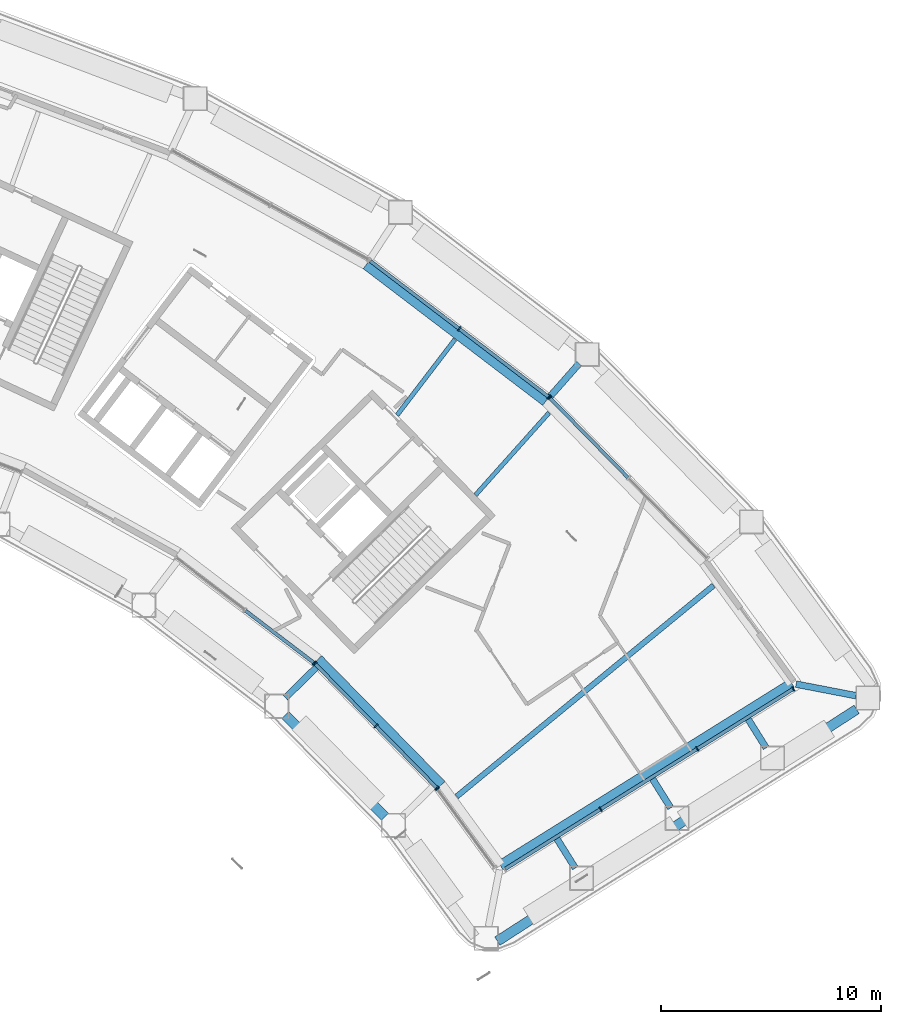
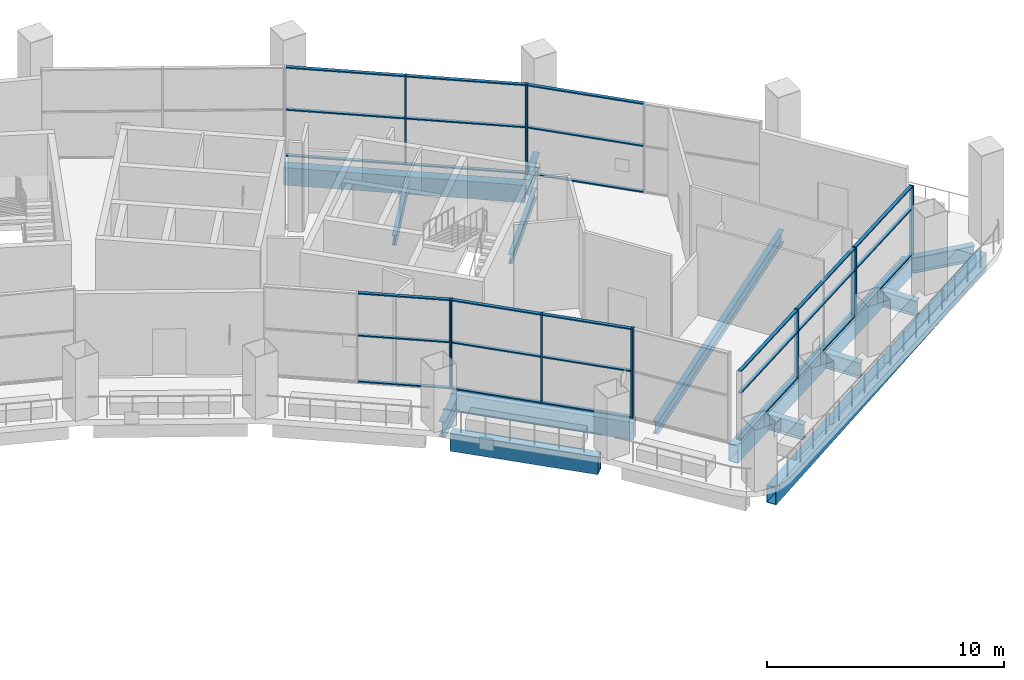
# One storey, part 9 of 28: 38 members, 14 beams, 6 elements without a shape of their own.
"""IFC4 building model written with IfcOpenShell, lengths in metres."""

from ifc_helpers import new_model, si_unit, direction, frame, origin, origin_2d, place, context, subcontext, project, spatial, rectangle, hollow_rectangle, i_section, extrude, material, layer, layer_set, material_profile, profile_set, type_object, element, aggregate, save


model = new_model("IFC4")

# Units and contexts
model_context = context("Model", 3, precision=1e-05, world=origin(), true_north=direction((0.0, 1.0)))
body_context = subcontext(model_context, "Body", "Model", "MODEL_VIEW")
ifc_project = project(units=[si_unit("LENGTHUNIT", "METRE"), si_unit("AREAUNIT", "SQUARE_METRE"), si_unit("VOLUMEUNIT", "CUBIC_METRE"), si_unit("PLANEANGLEUNIT", "RADIAN"), si_unit("MASSUNIT", "GRAM", prefix="KILO")], contexts=[model_context])

# Site, building, storey
site_placement = place(None, origin())
site = spatial("IfcSite", under=ifc_project, at=site_placement, CompositionType="ELEMENT")
building_placement = place(site_placement, origin())
building = spatial("IfcBuilding", under=site, at=building_placement, Name="Tuul Gate Civic Tower", CompositionType="ELEMENT")
storey_placement = place(building_placement, frame((0.0, 0.0, 128.699951171875)))
storey = spatial("IfcBuildingStorey", under=building, at=storey_placement, Name="Sky garden level 1", CompositionType="ELEMENT", Elevation=128.699951171875)

# Curtain wall, member
ifc_material_1 = material(Name="Aluminium", Category="aluminium")
ifc_layer_1 = layer(ifc_material_1, 0.199951171875)
ifc_layer_set_1 = layer_set([ifc_layer_1], Name="Aluminium")
curtain_wall_type_1 = type_object("IfcCurtainWallType", Name="Curtain wall CW3", PredefinedType="NOTDEFINED", material=ifc_layer_set_1)
curtain_wall_1_placement = place(storey_placement, origin())
curtain_wall_1 = element("IfcCurtainWall", 1, at=curtain_wall_1_placement, inside=storey, type_object=curtain_wall_type_1, Name="Curtain wall CW3", PredefinedType="NOTDEFINED")
ifc_material_2 = material(Name="Aluminium", Category="aluminium")
ifc_material_profile_1 = material_profile(ifc_material_2, rectangle(XDim=0.219970703125, YDim=0.06005859375, at=origin_2d()), Name="CW3 mullion")
ifc_profile_set_1 = profile_set([ifc_material_profile_1], Name="Aluminium")
member_type_1 = type_object("IfcMemberType", Name="CW3 mullion", PredefinedType="MULLION", material=ifc_profile_set_1)
member_1_placement = place(storey_placement, frame((57.02197265625, -6.780517578125, 0.0), z_axis=(0.0, 0.0, 1.0), x_axis=(-0.714109949145, -0.700033556719, 0.0)))
member_1 = element("IfcMember", 2, at=member_1_placement, type_object=member_type_1, Name="Mullion", PredefinedType="MULLION", context=body_context, shape_type="SweptSolid", body=[
    extrude(rectangle(XDim=0.219970703125, YDim=0.06005859375, at=origin_2d()), origin(), (0.0, 0.0, 1.0), 4.60009765625),
])

# Curtain wall, members
curtain_wall_2_placement = place(storey_placement, origin())
curtain_wall_2 = element("IfcCurtainWall", 3, at=curtain_wall_2_placement, inside=storey, type_object=curtain_wall_type_1, Name="Curtain wall CW3", PredefinedType="NOTDEFINED")
member_2_placement = place(storey_placement, frame((56.97705078125, -6.74072265625, 0.0), z_axis=(0.0, 0.0, 1.0), x_axis=(-0.605809182627, -0.79560997621, 0.0)))
member_2 = element("IfcMember", 4, at=member_2_placement, type_object=member_type_1, Name="Mullion", PredefinedType="MULLION", context=body_context, shape_type="SweptSolid", body=[
    extrude(rectangle(XDim=0.219970703125, YDim=0.06005859375, at=origin_2d()), origin(), (0.0, 0.0, 1.0), 4.60009765625),
])
member_3_placement = place(storey_placement, frame((52.903564453125, -3.638916015625, 0.0), z_axis=(0.0, 0.0, 1.0), x_axis=(-0.605809182627, -0.79560997621, 0.0)))
member_3 = element("IfcMember", 5, at=member_3_placement, type_object=member_type_1, Name="Mullion", PredefinedType="MULLION", context=body_context, shape_type="SweptSolid", body=[
    extrude(rectangle(XDim=0.219970703125, YDim=0.06005859375, at=origin_2d()), origin(), (0.0, 0.0, 1.0), 4.60009765625),
])

# Curtain wall, member
curtain_wall_3_placement = place(storey_placement, origin())
curtain_wall_3 = element("IfcCurtainWall", 6, at=curtain_wall_3_placement, inside=storey, type_object=curtain_wall_type_1, Name="Curtain wall CW3", PredefinedType="NOTDEFINED")
member_4_placement = place(storey_placement, frame((46.296142578125, -18.84375, 0.0), z_axis=(0.0, 0.0, 1.0), x_axis=(0.605827650389, 0.79559591378, 0.0)))
member_4 = element("IfcMember", 7, at=member_4_placement, type_object=member_type_1, Name="Mullion", PredefinedType="MULLION", context=body_context, shape_type="SweptSolid", body=[
    extrude(rectangle(XDim=0.219970703125, YDim=0.06005859375, at=origin_2d()), origin(), (0.0, 0.0, 1.0), 4.60009765625),
])

# Curtain wall, members
curtain_wall_4_placement = place(storey_placement, origin())
curtain_wall_4 = element("IfcCurtainWall", 8, at=curtain_wall_4_placement, inside=storey, type_object=curtain_wall_type_1, Name="Curtain wall CW3", PredefinedType="NOTDEFINED")
member_5_placement = place(storey_placement, frame((46.341064453125, -18.883544921875, 0.0), z_axis=(0.0, 0.0, 1.0), x_axis=(0.714099902117, 0.700043805627, 0.0)))
member_5 = element("IfcMember", 9, at=member_5_placement, type_object=member_type_1, Name="Mullion", PredefinedType="MULLION", context=body_context, shape_type="SweptSolid", body=[
    extrude(rectangle(XDim=0.219970703125, YDim=0.06005859375, at=origin_2d()), origin(), (0.0, 0.0, 1.0), 4.60009765625),
])
member_6_placement = place(storey_placement, frame((49.10888671875, -21.70703125, 0.0), z_axis=(0.0, 0.0, 1.0), x_axis=(0.714099902117, 0.700043805627, 0.0)))
member_6 = element("IfcMember", 10, at=member_6_placement, type_object=member_type_1, Name="Mullion", PredefinedType="MULLION", context=body_context, shape_type="SweptSolid", body=[
    extrude(rectangle(XDim=0.219970703125, YDim=0.06005859375, at=origin_2d()), origin(), (0.0, 0.0, 1.0), 4.60009765625),
])
member_7_placement = place(storey_placement, frame((51.876953125, -24.530517578125, 0.0), z_axis=(0.0, 0.0, 1.0), x_axis=(0.714099902117, 0.700043805627, 0.0)))
member_7 = element("IfcMember", 11, at=member_7_placement, type_object=member_type_1, Name="Mullion", PredefinedType="MULLION", context=body_context, shape_type="SweptSolid", body=[
    extrude(rectangle(XDim=0.219970703125, YDim=0.06005859375, at=origin_2d()), origin(), (0.0, 0.0, 1.0), 4.60009765625),
])

# Curtain wall, member
curtain_wall_5_placement = place(storey_placement, origin())
curtain_wall_5 = element("IfcCurtainWall", 12, at=curtain_wall_5_placement, inside=storey, type_object=curtain_wall_type_1, Name="Curtain wall CW3", PredefinedType="NOTDEFINED")
member_8_placement = place(storey_placement, frame((51.915771484375, -24.576171875, 0.0), z_axis=(0.0, 0.0, 1.0), x_axis=(0.807566892229, 0.589775986774, 0.0)))
member_8 = element("IfcMember", 13, at=member_8_placement, type_object=member_type_1, Name="Mullion", PredefinedType="MULLION", context=body_context, shape_type="SweptSolid", body=[
    extrude(rectangle(XDim=0.219970703125, YDim=0.06005859375, at=origin_2d()), origin(), (0.0, 0.0, 1.0), 4.60009765625),
])
aggregate(curtain_wall_5, [member_8])

# Member
ifc_material_3 = material(Name="Aluminium", Category="aluminium")
ifc_material_profile_2 = material_profile(ifc_material_3, rectangle(XDim=0.159912109375, YDim=0.06005859375, at=origin_2d()), Name="CW3 transom")
ifc_profile_set_2 = profile_set([ifc_material_profile_2], Name="Aluminium")
member_type_2 = type_object("IfcMemberType", Name="CW3 transom", PredefinedType="USERDEFINED", material=ifc_profile_set_2)
member_9_placement = place(storey_placement, frame((60.58544921875, -10.41552734375, 0.030029296875), z_axis=(-0.700027998076, 0.714115398175, 0.0), x_axis=(-0.714115398175, -0.700027998076, 0.0)))
member_9 = element("IfcMember", 14, at=member_9_placement, type_object=member_type_2, Name="Transom", ObjectType="TRANSOM", PredefinedType="USERDEFINED", context=body_context, shape_type="SweptSolid", body=[
    extrude(rectangle(XDim=0.159912109375, YDim=0.06005859375, at=origin_2d()), origin(), (0.0, 0.0, 1.0), 5.060546875),
])

member_10_placement = place(storey_placement, frame((60.58544921875, -10.41552734375, 2.400146484375), z_axis=(-0.700027998076, 0.714115398175, 0.0), x_axis=(-0.714115398175, -0.700027998076, 0.0)))
member_10 = element("IfcMember", 15, at=member_10_placement, type_object=member_type_2, Name="Transom", ObjectType="TRANSOM", PredefinedType="USERDEFINED", context=body_context, shape_type="SweptSolid", body=[
    extrude(rectangle(XDim=0.159912109375, YDim=0.06005859375, at=origin_2d()), origin(), (0.0, 0.0, 1.0), 5.060546875),
])

member_11_placement = place(storey_placement, frame((60.58544921875, -10.41552734375, 4.570068359375), z_axis=(-0.700027998076, 0.714115398175, 0.0), x_axis=(-0.714115398175, -0.700027998076, 0.0)))
member_11 = element("IfcMember", 16, at=member_11_placement, type_object=member_type_2, Name="Transom", ObjectType="TRANSOM", PredefinedType="USERDEFINED", context=body_context, shape_type="SweptSolid", body=[
    extrude(rectangle(XDim=0.159912109375, YDim=0.06005859375, at=origin_2d()), origin(), (0.0, 0.0, 1.0), 5.060546875),
])

aggregate(curtain_wall_1, [member_1, member_9, member_10, member_11])

member_12_placement = place(storey_placement, frame((56.953369140625, -6.72265625, 0.030029296875), z_axis=(-0.795613324704, 0.60580478502, 0.0), x_axis=(-0.60580478502, -0.795613324704, 0.0)))
member_12 = element("IfcMember", 17, at=member_12_placement, type_object=member_type_2, Name="Transom", ObjectType="TRANSOM", PredefinedType="USERDEFINED", context=body_context, shape_type="SweptSolid", body=[
    extrude(rectangle(XDim=0.159912109375, YDim=0.06005859375, at=origin_2d()), origin(), (0.0, 0.0, 1.0), 5.06005859375),
])

member_13_placement = place(storey_placement, frame((56.953369140625, -6.72265625, 2.400146484375), z_axis=(-0.795613324704, 0.60580478502, 0.0), x_axis=(-0.60580478502, -0.795613324704, 0.0)))
member_13 = element("IfcMember", 18, at=member_13_placement, type_object=member_type_2, Name="Transom", ObjectType="TRANSOM", PredefinedType="USERDEFINED", context=body_context, shape_type="SweptSolid", body=[
    extrude(rectangle(XDim=0.159912109375, YDim=0.06005859375, at=origin_2d()), origin(), (0.0, 0.0, 1.0), 5.06005859375),
])

member_14_placement = place(storey_placement, frame((56.953369140625, -6.72265625, 4.570068359375), z_axis=(-0.795613324704, 0.60580478502, 0.0), x_axis=(-0.60580478502, -0.795613324704, 0.0)))
member_14 = element("IfcMember", 19, at=member_14_placement, type_object=member_type_2, Name="Transom", ObjectType="TRANSOM", PredefinedType="USERDEFINED", context=body_context, shape_type="SweptSolid", body=[
    extrude(rectangle(XDim=0.159912109375, YDim=0.06005859375, at=origin_2d()), origin(), (0.0, 0.0, 1.0), 5.06005859375),
])

member_15_placement = place(storey_placement, frame((52.879638671875, -3.620849609375, 0.030029296875), z_axis=(-0.795613324704, 0.60580478502, 0.0), x_axis=(-0.60580478502, -0.795613324704, 0.0)))
member_15 = element("IfcMember", 20, at=member_15_placement, type_object=member_type_2, Name="Transom", ObjectType="TRANSOM", PredefinedType="USERDEFINED", context=body_context, shape_type="SweptSolid", body=[
    extrude(rectangle(XDim=0.159912109375, YDim=0.06005859375, at=origin_2d()), origin(), (0.0, 0.0, 1.0), 5.06005859375),
])

member_16_placement = place(storey_placement, frame((52.879638671875, -3.620849609375, 2.400146484375), z_axis=(-0.795613324704, 0.60580478502, 0.0), x_axis=(-0.60580478502, -0.795613324704, 0.0)))
member_16 = element("IfcMember", 21, at=member_16_placement, type_object=member_type_2, Name="Transom", ObjectType="TRANSOM", PredefinedType="USERDEFINED", context=body_context, shape_type="SweptSolid", body=[
    extrude(rectangle(XDim=0.159912109375, YDim=0.06005859375, at=origin_2d()), origin(), (0.0, 0.0, 1.0), 5.06005859375),
])

member_17_placement = place(storey_placement, frame((52.879638671875, -3.620849609375, 4.570068359375), z_axis=(-0.795613324704, 0.60580478502, 0.0), x_axis=(-0.60580478502, -0.795613324704, 0.0)))
member_17 = element("IfcMember", 22, at=member_17_placement, type_object=member_type_2, Name="Transom", ObjectType="TRANSOM", PredefinedType="USERDEFINED", context=body_context, shape_type="SweptSolid", body=[
    extrude(rectangle(XDim=0.159912109375, YDim=0.06005859375, at=origin_2d()), origin(), (0.0, 0.0, 1.0), 5.06005859375),
])

aggregate(curtain_wall_2, [member_2, member_3, member_12, member_13, member_14, member_15, member_16, member_17])

member_18_placement = place(storey_placement, frame((43.17431640625, -16.466796875, 0.030029296875), z_axis=(0.795607284168, -0.605812718073, 0.0), x_axis=(0.605812718073, 0.795607284168, 0.0)))
member_18 = element("IfcMember", 23, at=member_18_placement, type_object=member_type_2, Name="Transom", ObjectType="TRANSOM", PredefinedType="USERDEFINED", context=body_context, shape_type="SweptSolid", body=[
    extrude(rectangle(XDim=0.159912109375, YDim=0.06005859375, at=origin_2d()), origin(), (0.0, 0.0, 1.0), 3.893798828125),
])

member_19_placement = place(storey_placement, frame((43.17431640625, -16.466796875, 2.400146484375), z_axis=(0.795607284168, -0.605812718073, 0.0), x_axis=(0.605812718073, 0.795607284168, 0.0)))
member_19 = element("IfcMember", 24, at=member_19_placement, type_object=member_type_2, Name="Transom", ObjectType="TRANSOM", PredefinedType="USERDEFINED", context=body_context, shape_type="SweptSolid", body=[
    extrude(rectangle(XDim=0.159912109375, YDim=0.06005859375, at=origin_2d()), origin(), (0.0, 0.0, 1.0), 3.893798828125),
])

member_20_placement = place(storey_placement, frame((43.17431640625, -16.466796875, 4.570068359375), z_axis=(0.795607284168, -0.605812718073, 0.0), x_axis=(0.605812718073, 0.795607284168, 0.0)))
member_20 = element("IfcMember", 25, at=member_20_placement, type_object=member_type_2, Name="Transom", ObjectType="TRANSOM", PredefinedType="USERDEFINED", context=body_context, shape_type="SweptSolid", body=[
    extrude(rectangle(XDim=0.159912109375, YDim=0.06005859375, at=origin_2d()), origin(), (0.0, 0.0, 1.0), 3.893798828125),
])

aggregate(curtain_wall_3, [member_4, member_18, member_19, member_20])

member_21_placement = place(storey_placement, frame((46.362060546875, -18.90478515625, 0.030029296875), z_axis=(0.700018126509, -0.714125074871, 0.0), x_axis=(0.714125074871, 0.700018126509, 0.0)))
member_21 = element("IfcMember", 26, at=member_21_placement, type_object=member_type_2, Name="Transom", ObjectType="TRANSOM", PredefinedType="USERDEFINED", context=body_context, shape_type="SweptSolid", body=[
    extrude(rectangle(XDim=0.159912109375, YDim=0.06005859375, at=origin_2d()), origin(), (0.0, 0.0, 1.0), 3.89404296875),
])

member_22_placement = place(storey_placement, frame((46.362060546875, -18.90478515625, 2.400146484375), z_axis=(0.700018126509, -0.714125074871, 0.0), x_axis=(0.714125074871, 0.700018126509, 0.0)))
member_22 = element("IfcMember", 27, at=member_22_placement, type_object=member_type_2, Name="Transom", ObjectType="TRANSOM", PredefinedType="USERDEFINED", context=body_context, shape_type="SweptSolid", body=[
    extrude(rectangle(XDim=0.159912109375, YDim=0.06005859375, at=origin_2d()), origin(), (0.0, 0.0, 1.0), 3.89404296875),
])

member_23_placement = place(storey_placement, frame((46.362060546875, -18.90478515625, 4.570068359375), z_axis=(0.700018126509, -0.714125074871, 0.0), x_axis=(0.714125074871, 0.700018126509, 0.0)))
member_23 = element("IfcMember", 28, at=member_23_placement, type_object=member_type_2, Name="Transom", ObjectType="TRANSOM", PredefinedType="USERDEFINED", context=body_context, shape_type="SweptSolid", body=[
    extrude(rectangle(XDim=0.159912109375, YDim=0.06005859375, at=origin_2d()), origin(), (0.0, 0.0, 1.0), 3.89404296875),
])

member_24_placement = place(storey_placement, frame((49.1298828125, -21.728515625, 0.030029296875), z_axis=(0.700081440507, -0.714063006084, 0.0), x_axis=(0.714063006084, 0.700081440507, 0.0)))
member_24 = element("IfcMember", 29, at=member_24_placement, type_object=member_type_2, Name="Transom", ObjectType="TRANSOM", PredefinedType="USERDEFINED", context=body_context, shape_type="SweptSolid", body=[
    extrude(rectangle(XDim=0.159912109375, YDim=0.06005859375, at=origin_2d()), origin(), (0.0, 0.0, 1.0), 3.89404296875),
])

member_25_placement = place(storey_placement, frame((49.1298828125, -21.728515625, 2.400146484375), z_axis=(0.700081440507, -0.714063006084, 0.0), x_axis=(0.714063006084, 0.700081440507, 0.0)))
member_25 = element("IfcMember", 30, at=member_25_placement, type_object=member_type_2, Name="Transom", ObjectType="TRANSOM", PredefinedType="USERDEFINED", context=body_context, shape_type="SweptSolid", body=[
    extrude(rectangle(XDim=0.159912109375, YDim=0.06005859375, at=origin_2d()), origin(), (0.0, 0.0, 1.0), 3.89404296875),
])

member_26_placement = place(storey_placement, frame((49.1298828125, -21.728515625, 4.570068359375), z_axis=(0.700081440507, -0.714063006084, 0.0), x_axis=(0.714063006084, 0.700081440507, 0.0)))
member_26 = element("IfcMember", 31, at=member_26_placement, type_object=member_type_2, Name="Transom", ObjectType="TRANSOM", PredefinedType="USERDEFINED", context=body_context, shape_type="SweptSolid", body=[
    extrude(rectangle(XDim=0.159912109375, YDim=0.06005859375, at=origin_2d()), origin(), (0.0, 0.0, 1.0), 3.89404296875),
])

aggregate(curtain_wall_4, [member_5, member_6, member_7, member_21, member_22, member_23, member_24, member_25, member_26])

# Curtain wall, members
ifc_material_4 = material(Name="Aluminium", Category="aluminium")
ifc_layer_2 = layer(ifc_material_4, 0.199951171875)
ifc_layer_set_2 = layer_set([ifc_layer_2], Name="Aluminium")
curtain_wall_type_2 = type_object("IfcCurtainWallType", Name="Curtain wall CW3A", PredefinedType="NOTDEFINED", material=ifc_layer_set_2)
curtain_wall_6_placement = place(storey_placement, origin())
curtain_wall_6 = element("IfcCurtainWall", 32, at=curtain_wall_6_placement, inside=storey, type_object=curtain_wall_type_2, Name="Curtain wall CW3A", PredefinedType="NOTDEFINED")
ifc_material_5 = material(Name="Aluminium", Category="aluminium")
ifc_material_profile_3 = material_profile(ifc_material_5, rectangle(XDim=0.219970703125, YDim=0.06005859375, at=origin_2d()), Name="CW3A mullion")
ifc_profile_set_3 = profile_set([ifc_material_profile_3], Name="Aluminium")
member_type_3 = type_object("IfcMemberType", Name="CW3A mullion", PredefinedType="MULLION", material=ifc_profile_set_3)
member_27_placement = place(storey_placement, frame((59.3359375, -25.503662109375, 0.0), z_axis=(0.0, 0.0, 1.0), x_axis=(-0.52995845166, 0.848023607876, 0.0)))
member_27 = element("IfcMember", 33, at=member_27_placement, type_object=member_type_3, Name="Mullion", PredefinedType="MULLION", context=body_context, shape_type="SweptSolid", body=[
    extrude(rectangle(XDim=0.219970703125, YDim=0.06005859375, at=origin_2d()), origin(), (0.0, 0.0, 1.0), 3.545166015625),
])
member_28_placement = place(storey_placement, frame((63.72900390625, -22.75830078125, 0.0), z_axis=(0.0, 0.0, 1.0), x_axis=(-0.52995845166, 0.848023607876, 0.0)))
member_28 = element("IfcMember", 34, at=member_28_placement, type_object=member_type_3, Name="Mullion", PredefinedType="MULLION", context=body_context, shape_type="SweptSolid", body=[
    extrude(rectangle(XDim=0.219970703125, YDim=0.06005859375, at=origin_2d()), origin(), (0.0, 0.0, 1.0), 3.545166015625),
])
member_29_placement = place(storey_placement, frame((68.0966796875, -20.02880859375, 0.0), z_axis=(0.0, 0.0, 1.0), x_axis=(-0.52995845166, 0.848023607876, 0.0)))
member_29 = element("IfcMember", 35, at=member_29_placement, type_object=member_type_3, Name="Mullion", PredefinedType="MULLION", context=body_context, shape_type="SweptSolid", body=[
    extrude(rectangle(XDim=0.219970703125, YDim=0.06005859375, at=origin_2d()), origin(), (0.0, 0.0, 1.0), 3.545166015625),
])
ifc_material_6 = material(Name="Aluminium", Category="aluminium")
ifc_material_profile_4 = material_profile(ifc_material_6, rectangle(XDim=0.159912109375, YDim=0.06005859375, at=origin_2d()), Name="CW3A transom")
ifc_profile_set_4 = profile_set([ifc_material_profile_4], Name="Aluminium")
member_type_4 = type_object("IfcMemberType", Name="CW3A transom", PredefinedType="USERDEFINED", material=ifc_profile_set_4)
member_30_placement = place(storey_placement, frame((54.993896484375, -28.21728515625, 0.030029296875), z_axis=(0.848011776134, 0.529977383987, 0.0), x_axis=(-0.529977383987, 0.848011776134, 0.0)))
member_30 = element("IfcMember", 36, at=member_30_placement, type_object=member_type_4, Name="Transom", ObjectType="TRANSOM", PredefinedType="USERDEFINED", context=body_context, shape_type="SweptSolid", body=[
    extrude(rectangle(XDim=0.159912109375, YDim=0.06005859375, at=origin_2d()), origin(), (0.0, 0.0, 1.0), 5.09033203125),
])
member_31_placement = place(storey_placement, frame((54.993896484375, -28.21728515625, 2.400146484375), z_axis=(0.848011776134, 0.529977383987, 0.0), x_axis=(-0.529977383987, 0.848011776134, 0.0)))
member_31 = element("IfcMember", 37, at=member_31_placement, type_object=member_type_4, Name="Transom", ObjectType="TRANSOM", PredefinedType="USERDEFINED", context=body_context, shape_type="SweptSolid", body=[
    extrude(rectangle(XDim=0.159912109375, YDim=0.06005859375, at=origin_2d()), origin(), (0.0, 0.0, 1.0), 5.09033203125),
])
member_32_placement = place(storey_placement, frame((54.993896484375, -28.21728515625, 3.51513671875), z_axis=(0.848011776134, 0.529977383987, 0.0), x_axis=(-0.529977383987, 0.848011776134, 0.0)))
member_32 = element("IfcMember", 38, at=member_32_placement, type_object=member_type_4, Name="Transom", ObjectType="TRANSOM", PredefinedType="USERDEFINED", context=body_context, shape_type="SweptSolid", body=[
    extrude(rectangle(XDim=0.159912109375, YDim=0.06005859375, at=origin_2d()), origin(), (0.0, 0.0, 1.0), 5.09033203125),
])
member_33_placement = place(storey_placement, frame((59.361328125, -25.48779296875, 0.030029296875), z_axis=(0.848025089079, 0.529956081475, 0.0), x_axis=(-0.529956081475, 0.848025089079, 0.0)))
member_33 = element("IfcMember", 39, at=member_33_placement, type_object=member_type_4, Name="Transom", ObjectType="TRANSOM", PredefinedType="USERDEFINED", context=body_context, shape_type="SweptSolid", body=[
    extrude(rectangle(XDim=0.159912109375, YDim=0.06005859375, at=origin_2d()), origin(), (0.0, 0.0, 1.0), 5.120361328125),
])
member_34_placement = place(storey_placement, frame((59.361328125, -25.48779296875, 2.400146484375), z_axis=(0.848025089079, 0.529956081475, 0.0), x_axis=(-0.529956081475, 0.848025089079, 0.0)))
member_34 = element("IfcMember", 40, at=member_34_placement, type_object=member_type_4, Name="Transom", ObjectType="TRANSOM", PredefinedType="USERDEFINED", context=body_context, shape_type="SweptSolid", body=[
    extrude(rectangle(XDim=0.159912109375, YDim=0.06005859375, at=origin_2d()), origin(), (0.0, 0.0, 1.0), 5.120361328125),
])
member_35_placement = place(storey_placement, frame((59.361328125, -25.48779296875, 3.51513671875), z_axis=(0.848025089079, 0.529956081475, 0.0), x_axis=(-0.529956081475, 0.848025089079, 0.0)))
member_35 = element("IfcMember", 41, at=member_35_placement, type_object=member_type_4, Name="Transom", ObjectType="TRANSOM", PredefinedType="USERDEFINED", context=body_context, shape_type="SweptSolid", body=[
    extrude(rectangle(XDim=0.159912109375, YDim=0.06005859375, at=origin_2d()), origin(), (0.0, 0.0, 1.0), 5.120361328125),
])
member_36_placement = place(storey_placement, frame((63.75439453125, -22.742431640625, 0.030029296875), z_axis=(0.848011776134, 0.529977383987, 0.0), x_axis=(-0.529977383987, 0.848011776134, 0.0)))
member_36 = element("IfcMember", 42, at=member_36_placement, type_object=member_type_4, Name="Transom", ObjectType="TRANSOM", PredefinedType="USERDEFINED", context=body_context, shape_type="SweptSolid", body=[
    extrude(rectangle(XDim=0.159912109375, YDim=0.06005859375, at=origin_2d()), origin(), (0.0, 0.0, 1.0), 5.09033203125),
])
member_37_placement = place(storey_placement, frame((63.75439453125, -22.742431640625, 2.400146484375), z_axis=(0.848011776134, 0.529977383987, 0.0), x_axis=(-0.529977383987, 0.848011776134, 0.0)))
member_37 = element("IfcMember", 43, at=member_37_placement, type_object=member_type_4, Name="Transom", ObjectType="TRANSOM", PredefinedType="USERDEFINED", context=body_context, shape_type="SweptSolid", body=[
    extrude(rectangle(XDim=0.159912109375, YDim=0.06005859375, at=origin_2d()), origin(), (0.0, 0.0, 1.0), 5.09033203125),
])
member_38_placement = place(storey_placement, frame((63.75439453125, -22.742431640625, 3.51513671875), z_axis=(0.848011776134, 0.529977383987, 0.0), x_axis=(-0.529977383987, 0.848011776134, 0.0)))
member_38 = element("IfcMember", 44, at=member_38_placement, type_object=member_type_4, Name="Transom", ObjectType="TRANSOM", PredefinedType="USERDEFINED", context=body_context, shape_type="SweptSolid", body=[
    extrude(rectangle(XDim=0.159912109375, YDim=0.06005859375, at=origin_2d()), origin(), (0.0, 0.0, 1.0), 5.09033203125),
])
aggregate(curtain_wall_6, [member_27, member_28, member_29, member_30, member_31, member_32, member_33, member_34, member_35, member_36, member_37, member_38])

# Beams
ifc_material_7 = material(Name="Steel S355", Category="steel")
ifc_material_profile_5 = material_profile(ifc_material_7, i_section(OverallWidth=0.199951171875, OverallDepth=0.5, WebThickness=0.010009765625, FlangeThickness=0.01611328125, at=origin_2d()), Name="PG500x200x10x16")
ifc_profile_set_5 = profile_set([ifc_material_profile_5], Name="Steel S355")
beam_type_1 = type_object("IfcBeamType", Name="STR-FLOOR BEAM-PG500x200x10x16", PredefinedType="BEAM", material=ifc_profile_set_5)
beam_1_placement = place(storey_placement, frame((53.638916015625, -11.208740234375, -0.550048828125), z_axis=(0.666522266387, 0.745485122863, 0.0), x_axis=(-0.745485122863, 0.666522266387, 0.0)))
element("IfcBeam", 45, at=beam_1_placement, inside=storey, type_object=beam_type_1, Name="Floor beam", PredefinedType="BEAM", context=body_context, shape_type="SweptSolid", body=[
    extrude(i_section(OverallWidth=0.199951171875, OverallDepth=0.5, WebThickness=0.010009765625, FlangeThickness=0.01611328125, at=origin_2d()), origin(), (0.0, 0.0, 1.0), 5.02734375),
])
beam_2_placement = place(storey_placement, frame((50.072998046875, -7.57080078125, -0.550048828125), z_axis=(0.60732282325, 0.794455151887, 0.0), x_axis=(-0.794455151887, 0.60732282325, 0.0)))
element("IfcBeam", 46, at=beam_2_placement, inside=storey, type_object=beam_type_1, Name="Floor beam", PredefinedType="BEAM", context=body_context, shape_type="SweptSolid", body=[
    extrude(i_section(OverallWidth=0.199951171875, OverallDepth=0.5, WebThickness=0.010009765625, FlangeThickness=0.01611328125, at=origin_2d()), origin(), (0.0, 0.0, 1.0), 4.34326171875),
])
ifc_material_8 = material(Name="Steel S355", Category="steel")
ifc_material_profile_6 = material_profile(ifc_material_8, i_section(OverallWidth=0.25, OverallDepth=0.64990234375, WebThickness=0.011962890625, FlangeThickness=0.02001953125, at=origin_2d()), Name="PG650x250x12x20")
ifc_profile_set_6 = profile_set([ifc_material_profile_6], Name="Steel S355")
beam_type_2 = type_object("IfcBeamType", Name="STR-FLOOR BEAM-PG650x250x12x20", PredefinedType="BEAM", material=ifc_profile_set_6)
beam_3_placement = place(storey_placement, frame((52.787353515625, -24.921875, -0.625), z_axis=(0.772695714963, 0.634776600134, 0.0), x_axis=(-0.634776600134, 0.772695714963, 0.0)))
element("IfcBeam", 47, at=beam_3_placement, inside=storey, type_object=beam_type_2, Name="Floor beam", PredefinedType="BEAM", context=body_context, shape_type="SweptSolid", body=[
    extrude(i_section(OverallWidth=0.25, OverallDepth=0.64990234375, WebThickness=0.011962890625, FlangeThickness=0.02001953125, at=origin_2d()), origin(), (0.0, 0.0, 1.0), 15.124267578125),
])
ifc_material_9 = material(Name="Steel S355", Category="steel")
ifc_material_profile_7 = material_profile(ifc_material_9, i_section(OverallWidth=0.300048828125, OverallDepth=0.800048828125, WebThickness=0.013916015625, FlangeThickness=0.02490234375, at=origin_2d()), Name="PG800x300x14x25")
ifc_profile_set_7 = profile_set([ifc_material_profile_7], Name="Steel S355")
beam_type_3 = type_object("IfcBeamType", Name="STR-FLOOR BEAM-PG800x300x14x25", PredefinedType="BEAM", material=ifc_profile_set_7)
beam_4_placement = place(storey_placement, frame((70.9599609375, -20.337646484375, -0.699951171875), z_axis=(-0.981869606657, 0.189557578383, 0.0), x_axis=(-0.189557578383, -0.981869606657, 0.0)))
element("IfcBeam", 48, at=beam_4_placement, inside=storey, type_object=beam_type_3, Name="Terrace beam", PredefinedType="BEAM", context=body_context, shape_type="SweptSolid", body=[
    extrude(i_section(OverallWidth=0.300048828125, OverallDepth=0.800048828125, WebThickness=0.013916015625, FlangeThickness=0.02490234375, at=origin_2d()), origin(), (0.0, 0.0, 1.0), 2.779296875),
])
beam_5_placement = place(storey_placement, frame((58.362060546875, -5.216552734375, -0.699951171875), z_axis=(-0.661583315452, -0.749871666831, 0.0), x_axis=(0.749871666831, -0.661583315452, 0.0)))
element("IfcBeam", 49, at=beam_5_placement, inside=storey, type_object=beam_type_3, Name="Terrace beam", PredefinedType="BEAM", context=body_context, shape_type="SweptSolid", body=[
    extrude(i_section(OverallWidth=0.300048828125, OverallDepth=0.800048828125, WebThickness=0.013916015625, FlangeThickness=0.02490234375, at=origin_2d()), origin(), (0.0, 0.0, 1.0), 2.107177734375),
])
beam_6_placement = place(storey_placement, frame((44.98876953125, -20.431884765625, -0.699951171875), z_axis=(0.714105887894, 0.70003769961, 0.0), x_axis=(-0.70003769961, 0.714105887894, 0.0)))
element("IfcBeam", 50, at=beam_6_placement, inside=storey, type_object=beam_type_3, Name="Terrace beam", PredefinedType="BEAM", context=body_context, shape_type="SweptSolid", body=[
    extrude(i_section(OverallWidth=0.300048828125, OverallDepth=0.800048828125, WebThickness=0.013916015625, FlangeThickness=0.02490234375, at=origin_2d()), origin(), (0.0, 0.0, 1.0), 2.099853515625),
])
beam_7_placement = place(storey_placement, frame((58.180419921875, -28.1796875, -0.699951171875), z_axis=(-0.529870381151, 0.848078639737, 0.0), x_axis=(-0.848078639737, -0.529870381151, 0.0)))
element("IfcBeam", 51, at=beam_7_placement, inside=storey, type_object=beam_type_3, Name="Terrace beam", PredefinedType="BEAM", context=body_context, shape_type="SweptSolid", body=[
    extrude(i_section(OverallWidth=0.300048828125, OverallDepth=0.800048828125, WebThickness=0.013916015625, FlangeThickness=0.02490234375, at=origin_2d()), origin(), (0.0, 0.0, 1.0), 1.70703125),
])
beam_8_placement = place(storey_placement, frame((62.5234375, -25.444580078125, -0.699951171875), z_axis=(-0.52984303468, 0.848095724905, 0.0), x_axis=(-0.848095724905, -0.52984303468, 0.0)))
element("IfcBeam", 52, at=beam_8_placement, inside=storey, type_object=beam_type_3, Name="Terrace beam", PredefinedType="BEAM", context=body_context, shape_type="SweptSolid", body=[
    extrude(i_section(OverallWidth=0.300048828125, OverallDepth=0.800048828125, WebThickness=0.013916015625, FlangeThickness=0.02490234375, at=origin_2d()), origin(), (0.0, 0.0, 1.0), 1.689208984375),
])
beam_9_placement = place(storey_placement, frame((66.865478515625, -22.70947265625, -0.699951171875), z_axis=(-0.530012075185, 0.847990094375, 0.0), x_axis=(-0.847990094375, -0.530012075185, 0.0)))
element("IfcBeam", 53, at=beam_9_placement, inside=storey, type_object=beam_type_3, Name="Terrace beam", PredefinedType="BEAM", context=body_context, shape_type="SweptSolid", body=[
    extrude(i_section(OverallWidth=0.300048828125, OverallDepth=0.800048828125, WebThickness=0.013916015625, FlangeThickness=0.02490234375, at=origin_2d()), origin(), (0.0, 0.0, 1.0), 1.670654296875),
])
ifc_material_10 = material(Name="Steel S355", Category="steel")
ifc_material_profile_8 = material_profile(ifc_material_10, hollow_rectangle(XDim=0.449951171875, YDim=0.89990234375, WallThickness=0.02490234375, at=origin_2d()), Name="BOX900x450x25")
ifc_profile_set_8 = profile_set([ifc_material_profile_8], Name="Steel S355")
beam_type_4 = type_object("IfcBeamType", Name="STR-SPANDREL BEAM-BOX900x450x25", PredefinedType="BEAM", material=ifc_profile_set_8)
beam_10_placement = place(storey_placement, frame((48.668701171875, -0.728759765625, -0.75), z_axis=(0.795640785631, -0.60576871844, 0.0), x_axis=(0.60576871844, 0.795640785631, 0.0)))
element("IfcBeam", 54, at=beam_10_placement, inside=storey, type_object=beam_type_4, Name="Spandrel beam", PredefinedType="BEAM", context=body_context, shape_type="SweptSolid", body=[
    extrude(hollow_rectangle(XDim=0.449951171875, YDim=0.89990234375, WallThickness=0.02490234375, at=origin_2d()), origin(), (0.0, 0.0, 1.0), 10.2646484375),
])
beam_11_placement = place(storey_placement, frame((68.034423828125, -19.77294921875, -0.75), z_axis=(-0.848033379695, -0.529942814767, 0.0), x_axis=(0.529942814767, -0.848033379695, 0.0)))
element("IfcBeam", 55, at=beam_11_placement, inside=storey, type_object=beam_type_4, Name="Spandrel beam", PredefinedType="BEAM", context=body_context, shape_type="SweptSolid", body=[
    extrude(hollow_rectangle(XDim=0.449951171875, YDim=0.89990234375, WallThickness=0.02490234375, at=origin_2d()), origin(), (0.0, 0.0, 1.0), 15.640625),
])
beam_12_placement = place(storey_placement, frame((52.08984375, -24.390625, -0.75), z_axis=(-0.700026279004, 0.71411708333, 0.0), x_axis=(-0.71411708333, -0.700026279004, 0.0)))
element("IfcBeam", 56, at=beam_12_placement, inside=storey, type_object=beam_type_4, Name="Spandrel beam", PredefinedType="BEAM", context=body_context, shape_type="SweptSolid", body=[
    extrude(hollow_rectangle(XDim=0.449951171875, YDim=0.89990234375, WallThickness=0.02490234375, at=origin_2d()), origin(), (0.0, 0.0, 1.0), 8.004638671875),
])
beam_13_placement = place(storey_placement, frame((44.98095703125, -21.209716796875, -0.75), z_axis=(0.700019515807, -0.714123713014, 0.0), x_axis=(0.714123713014, 0.700019515807, 0.0)))
element("IfcBeam", 57, at=beam_13_placement, inside=storey, type_object=beam_type_4, Name="Terrace edge beam", PredefinedType="BEAM", context=body_context, shape_type="SweptSolid", body=[
    extrude(hollow_rectangle(XDim=0.449951171875, YDim=0.89990234375, WallThickness=0.02490234375, at=origin_2d()), origin(), (0.0, 0.0, 1.0), 6.4912109375),
])
beam_14_placement = place(storey_placement, frame((54.6376953125, -31.505126953125, -0.75), z_axis=(0.840256630448, 0.54218889235, 0.0), x_axis=(-0.54218889235, 0.840256630448, 0.0)))
element("IfcBeam", 58, at=beam_14_placement, inside=storey, type_object=beam_type_4, Name="Terrace edge beam", PredefinedType="BEAM", context=body_context, shape_type="SweptSolid", body=[
    extrude(hollow_rectangle(XDim=0.449951171875, YDim=0.89990234375, WallThickness=0.02490234375, at=origin_2d()), origin(), (0.0, 0.0, 1.0), 19.45556640625),
])

save(model, "model.ifc")
